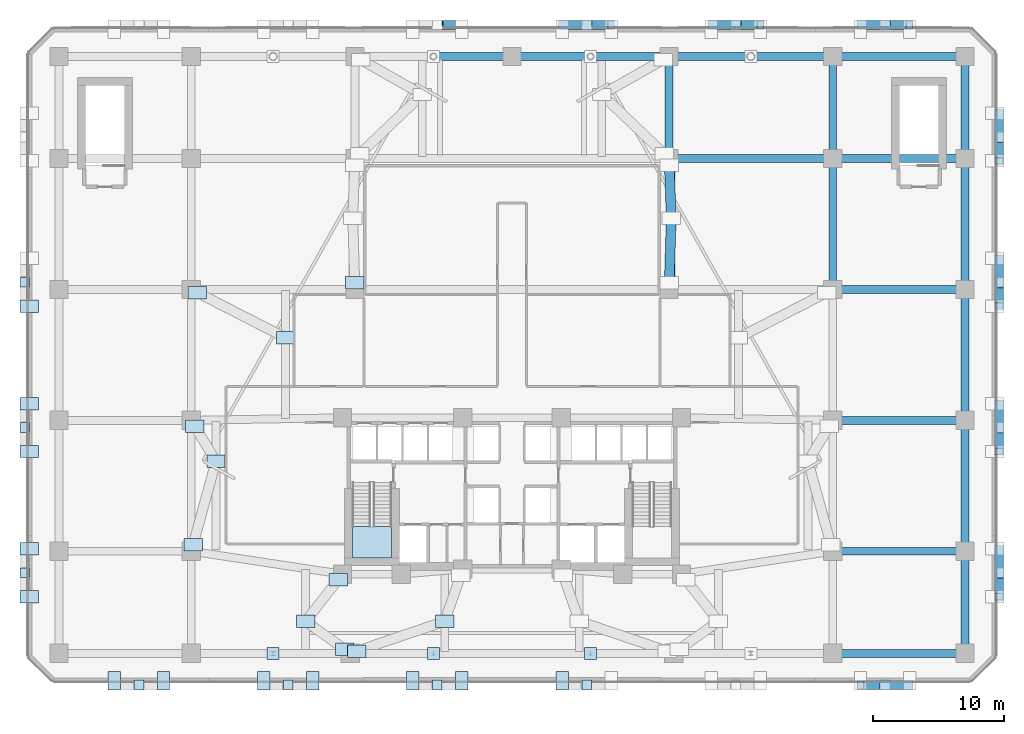
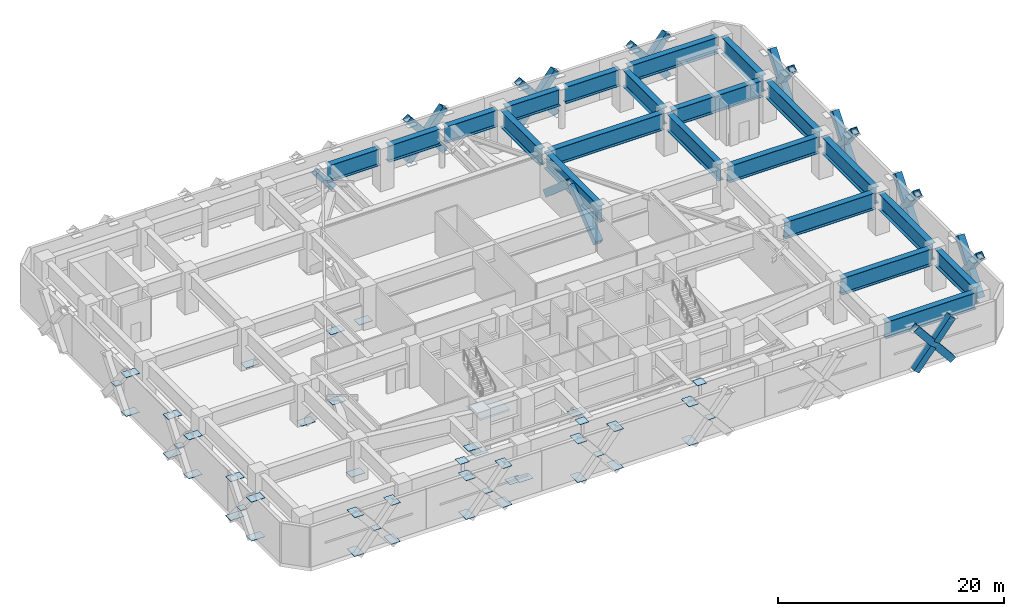
# One storey, part 7 of 14: 45 plates, 27 members, 21 beams, 1 slab, 1 element without a shape of its own.
"""IFC4 building model written with IfcOpenShell, lengths in metres."""

from ifc_helpers import new_model, si_unit, direction, frame, origin, origin_2d, place, context, subcontext, project, spatial, polyline, rectangle, hollow_rectangle, i_section, outline, extrude, material, layer, layer_set, material_profile, profile_set, type_object, element, aggregate, save


model = new_model("IFC4")

# Units and contexts
model_context = context("Model", 3, precision=1e-05, world=origin(), true_north=direction((0.0, 1.0)))
body_context = subcontext(model_context, "Body", "Model", "MODEL_VIEW")
ifc_project = project(units=[si_unit("LENGTHUNIT", "METRE"), si_unit("AREAUNIT", "SQUARE_METRE"), si_unit("VOLUMEUNIT", "CUBIC_METRE"), si_unit("PLANEANGLEUNIT", "RADIAN"), si_unit("MASSUNIT", "GRAM", prefix="KILO")], contexts=[model_context])

# Site, building, storey
site_placement = place(None, origin())
site = spatial("IfcSite", under=ifc_project, at=site_placement, CompositionType="ELEMENT")
building_placement = place(site_placement, origin())
building = spatial("IfcBuilding", under=site, at=building_placement, Name="Quenlor Broadcast Tower", CompositionType="ELEMENT")
storey_placement = place(building_placement, frame((0.0, 0.0, 23.0)))
storey = spatial("IfcBuildingStorey", under=building, at=storey_placement, Name="L05", CompositionType="ELEMENT", Elevation=23.0)

# Members
ifc_material_1 = material(Name="Steel S355", Category="steel")
ifc_material_profile_1 = material_profile(ifc_material_1, hollow_rectangle(XDim=0.679931640625, YDim=0.679931640625, WallThickness=0.034912109375, at=origin_2d()))
ifc_profile_set_1 = profile_set([ifc_material_profile_1], Name="Steel S355 RHS680x680x35")
member_type_1 = type_object("IfcMemberType", Name="Perimeter Diagonal Lattice Brace Z1 Steel S355 RHS680x35", PredefinedType="BRACE", material=ifc_profile_set_1)
member_1_placement = place(storey_placement, frame((30.377197265625, -25.215087890625, -0.1201171875), z_axis=(-0.632296924552, 0.0, 0.774726144649), x_axis=(0.0, -1.0, 0.0)))
element("IfcMember", 1, at=member_1_placement, inside=storey, type_object=member_type_1, Name="L05 Podium Diamond Lattice S-P1XA", PredefinedType="BRACE", context=body_context, shape_type="SweptSolid", body=[
    extrude(hollow_rectangle(XDim=0.679931640625, YDim=0.679931640625, WallThickness=0.034912109375, at=origin_2d()), origin(), (0.0, 0.0, 1.0), 5.937744140625),
])
for number, where, z_axis, x_axis, name in (
    (2, (26.622802734375, -25.215087890625, -0.1201171875), (0.632254412318, 0.0, 0.774760839295), (0.0, 1.0, 0.0), "L05 Podium Diamond Lattice S-P1XB1"),
    (3, (28.658203125, -25.215087890625, 2.373779296875), (0.63229840062, 0.0, 0.774724939945), (0.0, 1.0, 0.0), "L05 Podium Diamond Lattice S-P1XB2"),
):
    element("IfcMember", number, at=place(storey_placement, frame(where, z_axis=z_axis, x_axis=x_axis)), inside=storey, type_object=member_type_1, Name=name, PredefinedType="BRACE", context=body_context, shape_type="SweptSolid", body=[
        extrude(hollow_rectangle(XDim=0.679931640625, YDim=0.679931640625, WallThickness=0.034912109375, at=origin_2d()), origin(), (0.0, 0.0, 1.0), 2.71875),
    ])
member_2_placement = place(storey_placement, frame((-3.82275390625, 25.215087890625, -0.1201171875), z_axis=(-0.632308308234, 0.0, 0.774716853656), x_axis=(0.0, -1.0, 0.0)))
element("IfcMember", 4, at=member_2_placement, inside=storey, type_object=member_type_1, Name="L05 Podium Diamond Lattice N-P3XB1", PredefinedType="BRACE", context=body_context, shape_type="SweptSolid", body=[
    extrude(hollow_rectangle(XDim=0.679931640625, YDim=0.679931640625, WallThickness=0.034912109375, at=origin_2d()), origin(), (0.0, 0.0, 1.0), 2.718994140625),
])
member_3_placement = place(storey_placement, frame((3.82275390625, 25.215087890625, -0.1201171875), z_axis=(0.632296924552, 0.0, 0.774726144649), x_axis=(0.0, 1.0, 0.0)))
element("IfcMember", 5, at=member_3_placement, inside=storey, type_object=member_type_1, Name="L05 Podium Diamond Lattice N-P4XA", PredefinedType="BRACE", context=body_context, shape_type="SweptSolid", body=[
    extrude(hollow_rectangle(XDim=0.679931640625, YDim=0.679931640625, WallThickness=0.034912109375, at=origin_2d()), origin(), (0.0, 0.0, 1.0), 5.937744140625),
])
for number, where, z_axis, x_axis, name in (
    (6, (7.5771484375, 25.215087890625, -0.1201171875), (-0.632254412318, 0.0, 0.774760839295), (0.0, -1.0, 0.0), "L05 Podium Diamond Lattice N-P4XB1"),
    (7, (5.5419921875, 25.215087890625, 2.373779296875), (-0.632352295291, 0.0, 0.774680950224), (0.0, -1.0, 0.0), "L05 Podium Diamond Lattice N-P4XB2"),
):
    element("IfcMember", number, at=place(storey_placement, frame(where, z_axis=z_axis, x_axis=x_axis)), inside=storey, type_object=member_type_1, Name=name, PredefinedType="BRACE", context=body_context, shape_type="SweptSolid", body=[
        extrude(hollow_rectangle(XDim=0.679931640625, YDim=0.679931640625, WallThickness=0.034912109375, at=origin_2d()), origin(), (0.0, 0.0, 1.0), 2.71875),
    ])
member_4_placement = place(storey_placement, frame((15.222900390625, 25.215087890625, -0.1201171875), z_axis=(0.632296924552, 0.0, 0.774726144649), x_axis=(0.0, 1.0, 0.0)))
element("IfcMember", 8, at=member_4_placement, inside=storey, type_object=member_type_1, Name="L05 Podium Diamond Lattice N-P5XA", PredefinedType="BRACE", context=body_context, shape_type="SweptSolid", body=[
    extrude(hollow_rectangle(XDim=0.679931640625, YDim=0.679931640625, WallThickness=0.034912109375, at=origin_2d()), origin(), (0.0, 0.0, 1.0), 5.937744140625),
])
member_5_placement = place(storey_placement, frame((18.977294921875, 25.215087890625, -0.1201171875), z_axis=(-0.632308308234, 0.0, 0.774716853656), x_axis=(0.0, -1.0, 0.0)))
element("IfcMember", 9, at=member_5_placement, inside=storey, type_object=member_type_1, Name="L05 Podium Diamond Lattice N-P5XB1", PredefinedType="BRACE", context=body_context, shape_type="SweptSolid", body=[
    extrude(hollow_rectangle(XDim=0.679931640625, YDim=0.679931640625, WallThickness=0.034912109375, at=origin_2d()), origin(), (0.0, 0.0, 1.0), 2.718994140625),
])
member_6_placement = place(storey_placement, frame((16.94189453125, 25.215087890625, 2.373779296875), z_axis=(-0.63229840062, 0.0, 0.774724939945), x_axis=(0.0, -1.0, 0.0)))
element("IfcMember", 10, at=member_6_placement, inside=storey, type_object=member_type_1, Name="L05 Podium Diamond Lattice N-P5XB2", PredefinedType="BRACE", context=body_context, shape_type="SweptSolid", body=[
    extrude(hollow_rectangle(XDim=0.679931640625, YDim=0.679931640625, WallThickness=0.034912109375, at=origin_2d()), origin(), (0.0, 0.0, 1.0), 2.71875),
])
member_7_placement = place(storey_placement, frame((26.622802734375, 25.215087890625, -0.1201171875), z_axis=(0.632296924552, 0.0, 0.774726144649), x_axis=(0.0, 1.0, 0.0)))
element("IfcMember", 11, at=member_7_placement, inside=storey, type_object=member_type_1, Name="L05 Podium Diamond Lattice N-P6XA", PredefinedType="BRACE", context=body_context, shape_type="SweptSolid", body=[
    extrude(hollow_rectangle(XDim=0.679931640625, YDim=0.679931640625, WallThickness=0.034912109375, at=origin_2d()), origin(), (0.0, 0.0, 1.0), 5.937744140625),
])
for number, where, z_axis, x_axis, name in (
    (12, (30.377197265625, 25.215087890625, -0.1201171875), (-0.632254412318, 0.0, 0.774760839295), (0.0, -1.0, 0.0), "L05 Podium Diamond Lattice N-P6XB1"),
    (13, (28.341796875, 25.215087890625, 2.373779296875), (-0.63229840062, 0.0, 0.774724939945), (0.0, -1.0, 0.0), "L05 Podium Diamond Lattice N-P6XB2"),
):
    element("IfcMember", number, at=place(storey_placement, frame(where, z_axis=z_axis, x_axis=x_axis)), inside=storey, type_object=member_type_1, Name=name, PredefinedType="BRACE", context=body_context, shape_type="SweptSolid", body=[
        extrude(hollow_rectangle(XDim=0.679931640625, YDim=0.679931640625, WallThickness=0.034912109375, at=origin_2d()), origin(), (0.0, 0.0, 1.0), 2.71875),
    ])
member_8_placement = place(storey_placement, frame((37.215087890625, 18.477783203125, -0.1201171875), z_axis=(0.0, -0.622142921458, 0.78290368838), x_axis=(1.0, 0.0, 0.0)))
element("IfcMember", 14, at=member_8_placement, inside=storey, type_object=member_type_1, Name="L05 Podium Diamond Lattice E-P1XA", PredefinedType="BRACE", context=body_context, shape_type="SweptSolid", body=[
    extrude(hollow_rectangle(XDim=0.679931640625, YDim=0.679931640625, WallThickness=0.034912109375, at=origin_2d()), origin(), (0.0, 0.0, 1.0), 5.875732421875),
])
for number, where, z_axis, x_axis, name in (
    (15, (37.215087890625, 14.822265625, -0.1201171875), (0.0, 0.622088547402, 0.782946894234), (-1.0, 0.0, 0.0), "L05 Podium Diamond Lattice E-P1XB1"),
    (16, (37.215087890625, 16.805419921875, 2.375732421875), (0.0, 0.622188462001, 0.782867496932), (-1.0, 0.0, 0.0), "L05 Podium Diamond Lattice E-P1XB2"),
):
    element("IfcMember", number, at=place(storey_placement, frame(where, z_axis=z_axis, x_axis=x_axis)), inside=storey, type_object=member_type_1, Name=name, PredefinedType="BRACE", context=body_context, shape_type="SweptSolid", body=[
        extrude(hollow_rectangle(XDim=0.679931640625, YDim=0.679931640625, WallThickness=0.034912109375, at=origin_2d()), origin(), (0.0, 0.0, 1.0), 2.68798828125),
    ])
member_9_placement = place(storey_placement, frame((37.215087890625, 7.377685546875, -0.1201171875), z_axis=(0.0, -0.622142921458, 0.78290368838), x_axis=(1.0, 0.0, 0.0)))
element("IfcMember", 17, at=member_9_placement, inside=storey, type_object=member_type_1, Name="L05 Podium Diamond Lattice E-P2XA", PredefinedType="BRACE", context=body_context, shape_type="SweptSolid", body=[
    extrude(hollow_rectangle(XDim=0.679931640625, YDim=0.679931640625, WallThickness=0.034912109375, at=origin_2d()), origin(), (0.0, 0.0, 1.0), 5.875732421875),
])
member_10_placement = place(storey_placement, frame((37.215087890625, 3.72216796875, -0.1201171875), z_axis=(0.0, 0.622144221456, 0.782902655321), x_axis=(-1.0, 0.0, 0.0)))
element("IfcMember", 18, at=member_10_placement, inside=storey, type_object=member_type_1, Name="L05 Podium Diamond Lattice E-P2XB1", PredefinedType="BRACE", context=body_context, shape_type="SweptSolid", body=[
    extrude(hollow_rectangle(XDim=0.679931640625, YDim=0.679931640625, WallThickness=0.034912109375, at=origin_2d()), origin(), (0.0, 0.0, 1.0), 2.68798828125),
])
member_11_placement = place(storey_placement, frame((37.215087890625, 5.70556640625, 2.375732421875), z_axis=(0.0, 0.622132788988, 0.782911740151), x_axis=(-1.0, 0.0, 0.0)))
element("IfcMember", 19, at=member_11_placement, inside=storey, type_object=member_type_1, Name="L05 Podium Diamond Lattice E-P2XB2", PredefinedType="BRACE", context=body_context, shape_type="SweptSolid", body=[
    extrude(hollow_rectangle(XDim=0.679931640625, YDim=0.679931640625, WallThickness=0.034912109375, at=origin_2d()), origin(), (0.0, 0.0, 1.0), 2.687744140625),
])
member_12_placement = place(storey_placement, frame((37.215087890625, -3.72216796875, -0.1201171875), z_axis=(0.0, -0.622142921458, 0.78290368838), x_axis=(1.0, 0.0, 0.0)))
element("IfcMember", 20, at=member_12_placement, inside=storey, type_object=member_type_1, Name="L05 Podium Diamond Lattice E-P3XA", PredefinedType="BRACE", context=body_context, shape_type="SweptSolid", body=[
    extrude(hollow_rectangle(XDim=0.679931640625, YDim=0.679931640625, WallThickness=0.034912109375, at=origin_2d()), origin(), (0.0, 0.0, 1.0), 5.875732421875),
])
for number, where, z_axis, x_axis, name in (
    (21, (37.215087890625, -7.377685546875, -0.1201171875), (0.0, 0.622088547402, 0.782946894234), (-1.0, 0.0, 0.0), "L05 Podium Diamond Lattice E-P3XB1"),
    (22, (37.215087890625, -5.39453125, 2.375732421875), (0.0, 0.622188462001, 0.782867496932), (-1.0, 0.0, 0.0), "L05 Podium Diamond Lattice E-P3XB2"),
):
    element("IfcMember", number, at=place(storey_placement, frame(where, z_axis=z_axis, x_axis=x_axis)), inside=storey, type_object=member_type_1, Name=name, PredefinedType="BRACE", context=body_context, shape_type="SweptSolid", body=[
        extrude(hollow_rectangle(XDim=0.679931640625, YDim=0.679931640625, WallThickness=0.034912109375, at=origin_2d()), origin(), (0.0, 0.0, 1.0), 2.68798828125),
    ])
member_13_placement = place(storey_placement, frame((37.215087890625, -14.822265625, -0.1201171875), z_axis=(0.0, -0.622142921458, 0.78290368838), x_axis=(1.0, 0.0, 0.0)))
element("IfcMember", 23, at=member_13_placement, inside=storey, type_object=member_type_1, Name="L05 Podium Diamond Lattice E-P4XA", PredefinedType="BRACE", context=body_context, shape_type="SweptSolid", body=[
    extrude(hollow_rectangle(XDim=0.679931640625, YDim=0.679931640625, WallThickness=0.034912109375, at=origin_2d()), origin(), (0.0, 0.0, 1.0), 5.875732421875),
])
member_14_placement = place(storey_placement, frame((37.215087890625, -18.477783203125, -0.1201171875), z_axis=(0.0, 0.622144221456, 0.782902655321), x_axis=(-1.0, 0.0, 0.0)))
element("IfcMember", 24, at=member_14_placement, inside=storey, type_object=member_type_1, Name="L05 Podium Diamond Lattice E-P4XB1", PredefinedType="BRACE", context=body_context, shape_type="SweptSolid", body=[
    extrude(hollow_rectangle(XDim=0.679931640625, YDim=0.679931640625, WallThickness=0.034912109375, at=origin_2d()), origin(), (0.0, 0.0, 1.0), 2.68798828125),
])
member_15_placement = place(storey_placement, frame((37.215087890625, -16.494384765625, 2.375732421875), z_axis=(0.0, 0.622132788988, 0.782911740151), x_axis=(-1.0, 0.0, 0.0)))
element("IfcMember", 25, at=member_15_placement, inside=storey, type_object=member_type_1, Name="L05 Podium Diamond Lattice E-P4XB2", PredefinedType="BRACE", context=body_context, shape_type="SweptSolid", body=[
    extrude(hollow_rectangle(XDim=0.679931640625, YDim=0.679931640625, WallThickness=0.034912109375, at=origin_2d()), origin(), (0.0, 0.0, 1.0), 2.687744140625),
])

# Beams
ifc_material_2 = material(Name="Steel S355", Category="steel")
ifc_material_profile_2 = material_profile(ifc_material_2, i_section(OverallWidth=0.60009765625, OverallDepth=1.800048828125, WebThickness=0.02392578125, FlangeThickness=0.035888671875, FilletRadius=0.01806640625, at=origin_2d()))
ifc_profile_set_2 = profile_set([ifc_material_profile_2], Name="Steel S355 1800TG620")
beam_type = type_object("IfcBeamType", Name="Podium Composite Transfer Girder Steel S355 1800", PredefinedType="BEAM", material=ifc_profile_set_2)
for number, where, z_axis, x_axis, name in (
    (26, (24.919921875, -22.800048828125, 3.449951171875), (1.0, 0.0, 0.0), (0.0, 1.0, 0.0), "L05 Podium Composite Transfer Girder 9"),
    (27, (24.919921875, -15.0, 3.449951171875), (1.0, 0.0, 0.0), (0.0, 1.0, 0.0), "L05 Podium Composite Transfer Girder 11"),
    (28, (24.919921875, -5.0, 3.449951171875), (1.0, 0.0, 0.0), (0.0, 1.0, 0.0), "L05 Podium Composite Transfer Girder 13"),
    (29, (24.919921875, 5.0, 3.449951171875), (1.0, 0.0, 0.0), (0.0, 1.0, 0.0), "L05 Podium Composite Transfer Girder 18"),
):
    element("IfcBeam", number, at=place(storey_placement, frame(where, z_axis=z_axis, x_axis=x_axis)), inside=storey, type_object=beam_type, Name=name, PredefinedType="BEAM", context=body_context, shape_type="SweptSolid", body=[
        extrude(i_section(OverallWidth=0.60009765625, OverallDepth=1.800048828125, WebThickness=0.02392578125, FlangeThickness=0.035888671875, FilletRadius=0.01806640625, at=origin_2d()), origin(), (0.0, 0.0, 1.0), 9.260009765625),
    ])
beam_1_placement = place(storey_placement, frame((12.419921875, 15.0, 3.449951171875), z_axis=(1.0, 0.0, 0.0), x_axis=(0.0, 1.0, 0.0)))
element("IfcBeam", 30, at=beam_1_placement, inside=storey, type_object=beam_type, Name="L05 Podium Composite Transfer Girder 22", PredefinedType="BEAM", context=body_context, shape_type="SweptSolid", body=[
    extrude(i_section(OverallWidth=0.60009765625, OverallDepth=1.800048828125, WebThickness=0.02392578125, FlangeThickness=0.035888671875, FilletRadius=0.01806640625, at=origin_2d()), origin(), (0.0, 0.0, 1.0), 11.66015625),
])
beam_2_placement = place(storey_placement, frame((24.919921875, 15.0, 3.449951171875), z_axis=(1.0, 0.0, 0.0), x_axis=(0.0, 1.0, 0.0)))
element("IfcBeam", 31, at=beam_2_placement, inside=storey, type_object=beam_type, Name="L05 Podium Composite Transfer Girder 23", PredefinedType="BEAM", context=body_context, shape_type="SweptSolid", body=[
    extrude(i_section(OverallWidth=0.60009765625, OverallDepth=1.800048828125, WebThickness=0.02392578125, FlangeThickness=0.035888671875, FilletRadius=0.01806640625, at=origin_2d()), origin(), (0.0, 0.0, 1.0), 9.260009765625),
])
for number, where, z_axis, x_axis, name in (
    (32, (-5.76611328125, 22.800048828125, 3.449951171875), (1.0, 0.0, 0.0), (0.0, 1.0, 0.0), "L05 Podium Composite Transfer Girder 28"),
    (33, (0.419921875, 22.800048828125, 3.449951171875), (1.0, 0.0, 0.0), (0.0, 1.0, 0.0), "L05 Podium Composite Transfer Girder 29"),
    (34, (6.23388671875, 22.800048828125, 3.449951171875), (1.0, 0.0, 0.0), (0.0, 1.0, 0.0), "L05 Podium Composite Transfer Girder 30"),
):
    element("IfcBeam", number, at=place(storey_placement, frame(where, z_axis=z_axis, x_axis=x_axis)), inside=storey, type_object=beam_type, Name=name, PredefinedType="BEAM", context=body_context, shape_type="SweptSolid", body=[
        extrude(i_section(OverallWidth=0.60009765625, OverallDepth=1.800048828125, WebThickness=0.02392578125, FlangeThickness=0.035888671875, FilletRadius=0.01806640625, at=origin_2d()), origin(), (0.0, 0.0, 1.0), 5.34619140625),
    ])
for number, where, z_axis, x_axis, name in (
    (35, (12.419921875, 22.800048828125, 3.449951171875), (1.0, 0.0, 0.0), (0.0, 1.0, 0.0), "L05 Podium Composite Transfer Girder 31"),
    (36, (18.534912109375, 22.800048828125, 3.449951171875), (1.0, 0.0, 0.0), (0.0, 1.0, 0.0), "L05 Podium Composite Transfer Girder 32"),
):
    element("IfcBeam", number, at=place(storey_placement, frame(where, z_axis=z_axis, x_axis=x_axis)), inside=storey, type_object=beam_type, Name=name, PredefinedType="BEAM", context=body_context, shape_type="SweptSolid", body=[
        extrude(i_section(OverallWidth=0.60009765625, OverallDepth=1.800048828125, WebThickness=0.02392578125, FlangeThickness=0.035888671875, FilletRadius=0.01806640625, at=origin_2d()), origin(), (0.0, 0.0, 1.0), 5.545166015625),
    ])
beam_3_placement = place(storey_placement, frame((24.919921875, 22.800048828125, 3.449951171875), z_axis=(1.0, 0.0, 0.0), x_axis=(0.0, 1.0, 0.0)))
element("IfcBeam", 37, at=beam_3_placement, inside=storey, type_object=beam_type, Name="L05 Podium Composite Transfer Girder 33", PredefinedType="BEAM", context=body_context, shape_type="SweptSolid", body=[
    extrude(i_section(OverallWidth=0.60009765625, OverallDepth=1.800048828125, WebThickness=0.02392578125, FlangeThickness=0.035888671875, FilletRadius=0.01806640625, at=origin_2d()), origin(), (0.0, 0.0, 1.0), 9.260009765625),
])
beam_4_placement = place(storey_placement, frame((24.5, 5.419921875, 3.449951171875), z_axis=(0.0, 1.0, 0.0), x_axis=(-1.0, 0.0, 0.0)))
element("IfcBeam", 38, at=beam_4_placement, inside=storey, type_object=beam_type, Name="L05 Podium Composite Transfer Girder 47", PredefinedType="BEAM", context=body_context, shape_type="SweptSolid", body=[
    extrude(i_section(OverallWidth=0.60009765625, OverallDepth=1.800048828125, WebThickness=0.02392578125, FlangeThickness=0.035888671875, FilletRadius=0.01806640625, at=origin_2d()), origin(), (0.0, 0.0, 1.0), 9.16015625),
])
for number, where, z_axis, x_axis, name in (
    (39, (24.5, 15.419921875, 3.449951171875), (0.0, 1.0, 0.0), (-1.0, 0.0, 0.0), "L05 Podium Composite Transfer Girder 48"),
    (40, (34.60009765625, -22.3798828125, 3.449951171875), (0.0, 1.0, 0.0), (-1.0, 0.0, 0.0), "L05 Podium Composite Transfer Girder 49"),
):
    element("IfcBeam", number, at=place(storey_placement, frame(where, z_axis=z_axis, x_axis=x_axis)), inside=storey, type_object=beam_type, Name=name, PredefinedType="BEAM", context=body_context, shape_type="SweptSolid", body=[
        extrude(i_section(OverallWidth=0.60009765625, OverallDepth=1.800048828125, WebThickness=0.02392578125, FlangeThickness=0.035888671875, FilletRadius=0.01806640625, at=origin_2d()), origin(), (0.0, 0.0, 1.0), 6.9599609375),
    ])
for number, where, z_axis, x_axis, name in (
    (41, (34.60009765625, -14.580078125, 3.449951171875), (0.0, 1.0, 0.0), (-1.0, 0.0, 0.0), "L05 Podium Composite Transfer Girder 50"),
    (42, (34.60009765625, -4.580078125, 3.449951171875), (0.0, 1.0, 0.0), (-1.0, 0.0, 0.0), "L05 Podium Composite Transfer Girder 51"),
    (43, (34.60009765625, 5.419921875, 3.449951171875), (0.0, 1.0, 0.0), (-1.0, 0.0, 0.0), "L05 Podium Composite Transfer Girder 52"),
):
    element("IfcBeam", number, at=place(storey_placement, frame(where, z_axis=z_axis, x_axis=x_axis)), inside=storey, type_object=beam_type, Name=name, PredefinedType="BEAM", context=body_context, shape_type="SweptSolid", body=[
        extrude(i_section(OverallWidth=0.60009765625, OverallDepth=1.800048828125, WebThickness=0.02392578125, FlangeThickness=0.035888671875, FilletRadius=0.01806640625, at=origin_2d()), origin(), (0.0, 0.0, 1.0), 9.16015625),
    ])
for number, where, z_axis, x_axis, name in (
    (44, (34.60009765625, 15.419921875, 3.449951171875), (0.0, 1.0, 0.0), (-1.0, 0.0, 0.0), "L05 Podium Composite Transfer Girder 53"),
    (45, (12.0, 15.419921875, 3.449951171875), (0.0, 1.0, 0.0), (-1.0, 0.0, 0.0), "L05 Podium Composite Transfer Girder 57"),
):
    element("IfcBeam", number, at=place(storey_placement, frame(where, z_axis=z_axis, x_axis=x_axis)), inside=storey, type_object=beam_type, Name=name, PredefinedType="BEAM", context=body_context, shape_type="SweptSolid", body=[
        extrude(i_section(OverallWidth=0.60009765625, OverallDepth=1.800048828125, WebThickness=0.02392578125, FlangeThickness=0.035888671875, FilletRadius=0.01806640625, at=origin_2d()), origin(), (0.0, 0.0, 1.0), 6.9599609375),
    ])
beam_5_placement = place(storey_placement, frame((12.1630859375, 5.139892578125, 3.449951171875), z_axis=(0.0, 1.0, 0.0), x_axis=(-1.0, 0.0, 0.0)))
element("IfcBeam", 46, at=beam_5_placement, inside=storey, type_object=beam_type, Name="L05 Transfer Girder NE3", PredefinedType="BEAM", context=body_context, shape_type="SweptSolid", body=[
    extrude(i_section(OverallWidth=0.60009765625, OverallDepth=1.800048828125, WebThickness=0.02392578125, FlangeThickness=0.035888671875, FilletRadius=0.01806640625, at=origin_2d()), origin(), (0.0, 0.0, 1.0), 9.780029296875),
])

# Members
ifc_material_3 = material(Name="Steel S355", Category="steel")
ifc_material_profile_3 = material_profile(ifc_material_3, hollow_rectangle(XDim=0.75, YDim=0.75, WallThickness=0.034912109375, at=origin_2d()))
ifc_profile_set_3 = profile_set([ifc_material_profile_3], Name="Steel S355 RHS750x750x35")
member_type_2 = type_object("IfcMemberType", Name="Transfer Truss Diagonal Web Steel S355 RHS750x35", PredefinedType="BRACE", material=ifc_profile_set_3)
member_16_placement = place(storey_placement, frame((12.015625, 5.519775390625, 0.14990234375), z_axis=(0.024433892553, 0.817024025741, 0.576085693501), x_axis=(-0.999553116342, 0.02989260129, 0.0)))
element("IfcMember", 47, at=member_16_placement, inside=storey, type_object=member_type_2, Name="L05 Transfer Truss Diagonal NE3-1", PredefinedType="BRACE", context=body_context, shape_type="SweptSolid", body=[
    extrude(hollow_rectangle(XDim=0.75, YDim=0.75, WallThickness=0.034912109375, at=origin_2d()), origin(), (0.0, 0.0, 1.0), 5.815185546875),
])
member_17_placement = place(storey_placement, frame((12.0185546875, 14.480224609375, 0.14990234375), z_axis=(0.027068888911, -0.754055073241, 0.656253168962), x_axis=(0.999356297436, 0.035874653666, 0.0)))
element("IfcMember", 48, at=member_17_placement, inside=storey, type_object=member_type_2, Name="L05 Transfer Truss Diagonal NE3-2", PredefinedType="BRACE", context=body_context, shape_type="SweptSolid", body=[
    extrude(hollow_rectangle(XDim=0.75, YDim=0.75, WallThickness=0.034912109375, at=origin_2d()), origin(), (0.0, 0.0, 1.0), 5.10498046875),
])

# Plates
ifc_material_4 = material(Name="Steel S355", Category="steel")
ifc_layer_1 = layer(ifc_material_4, 0.031982421875)
ifc_layer_set_1 = layer_set([ifc_layer_1], Name="Lower Zone Setback Steel S355 Kink Cap Plate 920x920x32")
plate_type_1 = type_object("IfcPlateType", Name="Lower Zone Setback Steel S355 Kink Cap Plate 920x920x32", PredefinedType="USERDEFINED", material=ifc_layer_set_1)
for number, where, z_axis, x_axis, name in (
    (49, (-18.25, -22.800048828125, 4.33984375), (0.0, 0.0, 1.0), (1.0, 0.0, 0.0), "L05 Station Column Top Cap Plate SPW1"),
    (50, (-6.0, -22.800048828125, 4.33984375), (0.0, 0.0, 1.0), (1.0, 0.0, 0.0), "L05 Station Column Top Cap Plate SPW2"),
    (51, (6.0, -22.800048828125, 4.33984375), (0.0, 0.0, 1.0), (1.0, 0.0, 0.0), "L05 Station Column Top Cap Plate SPE2"),
):
    element("IfcPlate", number, at=place(storey_placement, frame(where, z_axis=z_axis, x_axis=x_axis)), inside=storey, type_object=plate_type_1, Name=name, ObjectType="CAP PLATE", PredefinedType="USERDEFINED", context=body_context, shape_type="SweptSolid", body=[
        extrude(rectangle(XDim=0.919921875, YDim=0.919921875, at=origin_2d()), origin(), (0.0, 0.0, 1.0), 0.031982421875),
    ])
ifc_material_5 = material(Name="Steel S355", Category="steel")
ifc_layer_2 = layer(ifc_material_5, 0.028076171875)
ifc_layer_set_2 = layer_set([ifc_layer_2], Name="Perimeter Lattice Node Steel S355 Cap Plate 740x740x28")
plate_type_2 = type_object("IfcPlateType", Name="Perimeter Lattice Node Steel S355 Cap Plate 740x740x28", PredefinedType="USERDEFINED", material=ifc_layer_set_2)
for number, where, z_axis, x_axis, name in (
    (52, (5.699951171875, -25.215087890625, 2.166015625), (0.0, 0.0, 1.0), (-1.0, 0.0, 0.0), "L05 Podium Diamond Crossing Node S-C3"),
    (53, (-5.699951171875, -25.215087890625, 2.166015625), (0.0, 0.0, 1.0), (-1.0, 0.0, 0.0), "L05 Podium Diamond Crossing Node S-C4"),
    (54, (-17.10009765625, -25.215087890625, 2.166015625), (0.0, 0.0, 1.0), (-1.0, 0.0, 0.0), "L05 Podium Diamond Crossing Node S-C5"),
    (55, (-28.5, -25.215087890625, 2.166015625), (0.0, 0.0, 1.0), (-1.0, 0.0, 0.0), "L05 Podium Diamond Crossing Node S-C6"),
    (56, (-37.215087890625, -16.64990234375, 2.166015625), (0.0, 0.0, 1.0), (0.0, 1.0, 0.0), "L05 Podium Diamond Crossing Node W-C1"),
    (57, (-37.215087890625, -5.550048828125, 2.166015625), (0.0, 0.0, 1.0), (0.0, 1.0, 0.0), "L05 Podium Diamond Crossing Node W-C2"),
    (58, (-37.215087890625, 5.550048828125, 2.166015625), (0.0, 0.0, 1.0), (0.0, 1.0, 0.0), "L05 Podium Diamond Crossing Node W-C3"),
):
    element("IfcPlate", number, at=place(storey_placement, frame(where, z_axis=z_axis, x_axis=x_axis)), inside=storey, type_object=plate_type_2, Name=name, ObjectType="CAP PLATE", PredefinedType="USERDEFINED", context=body_context, shape_type="SweptSolid", body=[
        extrude(rectangle(XDim=0.739990234375, YDim=0.739990234375, at=origin_2d()), origin(), (0.0, 0.0, 1.0), 0.028076171875),
    ])

# Stair, slab
ifc_material_6 = material(Name="Precast concrete C40/50", Category="concrete")
stair_type = type_object("IfcStairType", Name="Precast Concrete C40/50 Dogleg Stair H460", PredefinedType="HALF_TURN_STAIR", material=ifc_material_6)
stair_placement = place(storey_placement, origin())
stair = element("IfcStair", 59, at=stair_placement, inside=storey, type_object=stair_type, Name="L05 West Core Fire-Isolated Exit Stair ST-1", PredefinedType="HALF_TURN_STAIR")
ifc_material_7 = material(Name="Precast concrete C40/50", Category="concrete")
ifc_layer_3 = layer(ifc_material_7, 0.199951171875)
ifc_layer_set_3 = layer_set([ifc_layer_3], Name="Precast Concrete C40/50 Stair Landing Slab 200")
slab_type = type_object("IfcSlabType", Name="Precast Concrete C40/50 Stair Landing Slab 200", PredefinedType="LANDING", material=ifc_layer_set_3)
slab_placement = place(storey_placement, frame((0.0, 0.0, 2.10009765625)))
slab = element("IfcSlab", 60, at=slab_placement, type_object=slab_type, Name="ST-1 landing 1", PredefinedType="LANDING", context=body_context, shape_type="SweptSolid", body=[
    extrude(outline(polyline([(-12.199951171875, -13.110107421875), (-12.199951171875, -15.5), (-9.199951171875, -15.5), (-9.199951171875, -13.110107421875), (-12.199951171875, -13.110107421875)])), origin(), (0.0, 0.0, 1.0), 0.199951171875),
])
aggregate(stair, [slab])

# Plates
ifc_material_8 = material(Name="Steel S355", Category="steel")
ifc_layer_4 = layer(ifc_material_8, 0.035888671875)
ifc_layer_set_4 = layer_set([ifc_layer_4], Name="Transfer Truss Steel S355 Gusset Node Plate 1400x950x36")
plate_type_3 = type_object("IfcPlateType", Name="Transfer Truss Steel S355 Gusset Node Plate 1400x950x36", PredefinedType="SHEET", material=ifc_layer_set_4)
for number, where, z_axis, x_axis, name in (
    (61, (-12.7724609375, -22.496826171875, 0.1318359375), (0.0, 0.0, 1.0), (1.0, 0.0, 0.0), "L05 Transfer Base Gusset Plate TGN1 S1-1"),
    (62, (-13.270263671875, -17.15966796875, 0.1318359375), (0.0, 0.0, 1.0), (1.0, 0.0, 0.0), "L05 Transfer Base Gusset Plate TGN1 S1-2"),
    (63, (-15.76513671875, -20.35009765625, 3.48193359375), (0.0, 0.0, 1.0), (1.0, 0.0, 0.0), "L05 Transfer Node Gusset Plate TGN1 S1"),
    (64, (-11.857666015625, -22.6328125, 0.1318359375), (0.0, 0.0, 1.0), (1.0, 0.0, 0.0), "L05 Transfer Base Gusset Plate TGN1 S2-1"),
    (65, (-5.140869140625, -20.35009765625, 3.48193359375), (0.0, 0.0, 1.0), (1.0, 0.0, 0.0), "L05 Transfer Node Gusset Plate TGN1 S2"),
    (66, (-12.015625, 5.519775390625, 0.1318359375), (0.0, 0.0, 1.0), (1.0, 0.0, 0.0), "L05 Transfer Base Gusset Plate TGN1 NW2-1"),
    (67, (-24.037109375, 4.7626953125, 0.1318359375), (0.0, 0.0, 1.0), (1.0, 0.0, 0.0), "L05 Transfer Base Gusset Plate TGN1 NW3-2"),
    (68, (-17.303955078125, 1.311767578125, 3.48193359375), (0.0, 0.0, 1.0), (1.0, 0.0, 0.0), "L05 Transfer Node Gusset Plate TGN1 NW3"),
    (69, (-24.3623046875, -14.49853515625, 0.1318359375), (0.0, 0.0, 1.0), (1.0, 0.0, 0.0), "L05 Transfer Base Gusset Plate TGN1 NW4-1"),
    (70, (-24.23193359375, -5.445556640625, 0.1318359375), (0.0, 0.0, 1.0), (1.0, 0.0, 0.0), "L05 Transfer Base Gusset Plate TGN1 NW4-2"),
    (71, (-22.6162109375, -8.132080078125, 3.48193359375), (0.0, 0.0, 1.0), (1.0, 0.0, 0.0), "L05 Transfer Node Gusset Plate TGN1 NW4"),
    (72, (3.82275390625, -24.8798828125, 4.2421875), (0.0, 0.0, 1.0), (0.0, -1.0, 0.0), "L05 Podium Lattice Tie Gusset S-T8"),
    (73, (3.82275390625, -24.8798828125, 0.0419921875), (0.0, 0.0, 1.0), (0.0, -1.0, 0.0), "L05 Podium Lattice Tie Gusset S-B8"),
    (74, (-3.82275390625, -24.8798828125, 0.0419921875), (0.0, 0.0, 1.0), (0.0, -1.0, 0.0), "L05 Podium Lattice Tie Gusset S-B10"),
    (75, (-7.5771484375, -24.8798828125, 4.2421875), (0.0, 0.0, 1.0), (0.0, -1.0, 0.0), "L05 Podium Lattice Tie Gusset S-T11"),
    (76, (-7.5771484375, -24.8798828125, 0.0419921875), (0.0, 0.0, 1.0), (0.0, -1.0, 0.0), "L05 Podium Lattice Tie Gusset S-B11"),
    (77, (-3.82275390625, -24.8798828125, 4.2421875), (0.0, 0.0, 1.0), (0.0, -1.0, 0.0), "L05 Podium Lattice Tie Gusset S-T10"),
    (78, (-15.222900390625, -24.8798828125, 0.0419921875), (0.0, 0.0, 1.0), (0.0, -1.0, 0.0), "L05 Podium Lattice Tie Gusset S-B13"),
    (79, (-18.977294921875, -24.8798828125, 4.2421875), (0.0, 0.0, 1.0), (0.0, -1.0, 0.0), "L05 Podium Lattice Tie Gusset S-T14"),
    (80, (-18.977294921875, -24.8798828125, 0.0419921875), (0.0, 0.0, 1.0), (0.0, -1.0, 0.0), "L05 Podium Lattice Tie Gusset S-B14"),
    (81, (-15.222900390625, -24.8798828125, 4.2421875), (0.0, 0.0, 1.0), (0.0, -1.0, 0.0), "L05 Podium Lattice Tie Gusset S-T13"),
    (82, (-26.622802734375, -24.8798828125, 0.0419921875), (0.0, 0.0, 1.0), (0.0, -1.0, 0.0), "L05 Podium Lattice Tie Gusset S-B16"),
    (83, (-30.377197265625, -24.8798828125, 4.2421875), (0.0, 0.0, 1.0), (0.0, -1.0, 0.0), "L05 Podium Lattice Tie Gusset S-T17"),
    (84, (-30.377197265625, -24.8798828125, 0.0419921875), (0.0, 0.0, 1.0), (0.0, -1.0, 0.0), "L05 Podium Lattice Tie Gusset S-B17"),
    (85, (-26.622802734375, -24.8798828125, 4.2421875), (0.0, 0.0, 1.0), (0.0, -1.0, 0.0), "L05 Podium Lattice Tie Gusset S-T16"),
    (86, (-36.8798828125, -18.477783203125, 0.0419921875), (0.0, 0.0, 1.0), (-1.0, 0.0, 0.0), "L05 Podium Lattice Tie Gusset W-B1"),
    (87, (-36.8798828125, -14.822265625, 4.2421875), (0.0, 0.0, 1.0), (-1.0, 0.0, 0.0), "L05 Podium Lattice Tie Gusset W-T2"),
    (88, (-36.8798828125, -14.822265625, 0.0419921875), (0.0, 0.0, 1.0), (-1.0, 0.0, 0.0), "L05 Podium Lattice Tie Gusset W-B2"),
    (89, (-36.8798828125, -18.477783203125, 4.2421875), (0.0, 0.0, 1.0), (-1.0, 0.0, 0.0), "L05 Podium Lattice Tie Gusset W-T1"),
    (90, (-36.8798828125, -7.377685546875, 0.0419921875), (0.0, 0.0, 1.0), (-1.0, 0.0, 0.0), "L05 Podium Lattice Tie Gusset W-B4"),
    (91, (-36.8798828125, -3.72216796875, 4.2421875), (0.0, 0.0, 1.0), (-1.0, 0.0, 0.0), "L05 Podium Lattice Tie Gusset W-T5"),
    (92, (-36.8798828125, -3.72216796875, 0.0419921875), (0.0, 0.0, 1.0), (-1.0, 0.0, 0.0), "L05 Podium Lattice Tie Gusset W-B5"),
    (93, (-36.8798828125, -7.377685546875, 4.2421875), (0.0, 0.0, 1.0), (-1.0, 0.0, 0.0), "L05 Podium Lattice Tie Gusset W-T4"),
    (94, (-36.8798828125, 3.72216796875, 0.0419921875), (0.0, 0.0, 1.0), (-1.0, 0.0, 0.0), "L05 Podium Lattice Tie Gusset W-B7"),
    (95, (-36.8798828125, 3.72216796875, 4.2421875), (0.0, 0.0, 1.0), (-1.0, 0.0, 0.0), "L05 Podium Lattice Tie Gusset W-T7"),
):
    element("IfcPlate", number, at=place(storey_placement, frame(where, z_axis=z_axis, x_axis=x_axis)), inside=storey, type_object=plate_type_3, Name=name, PredefinedType="SHEET", context=body_context, shape_type="SweptSolid", body=[
        extrude(rectangle(XDim=1.39990234375, YDim=0.949951171875, at=origin_2d()), origin(), (0.0, 0.0, 1.0), 0.035888671875),
    ])

save(model, "model.ifc")
